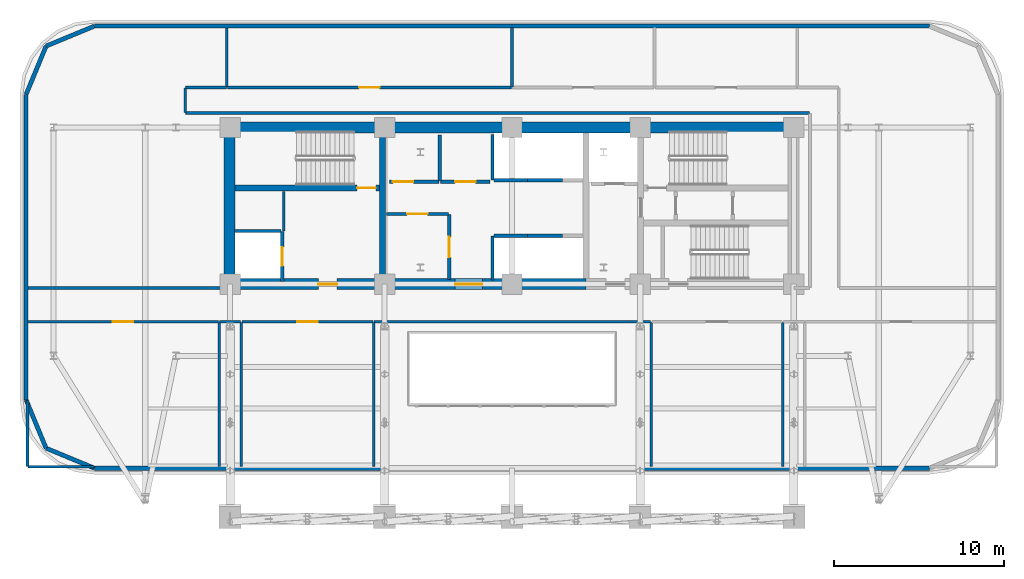
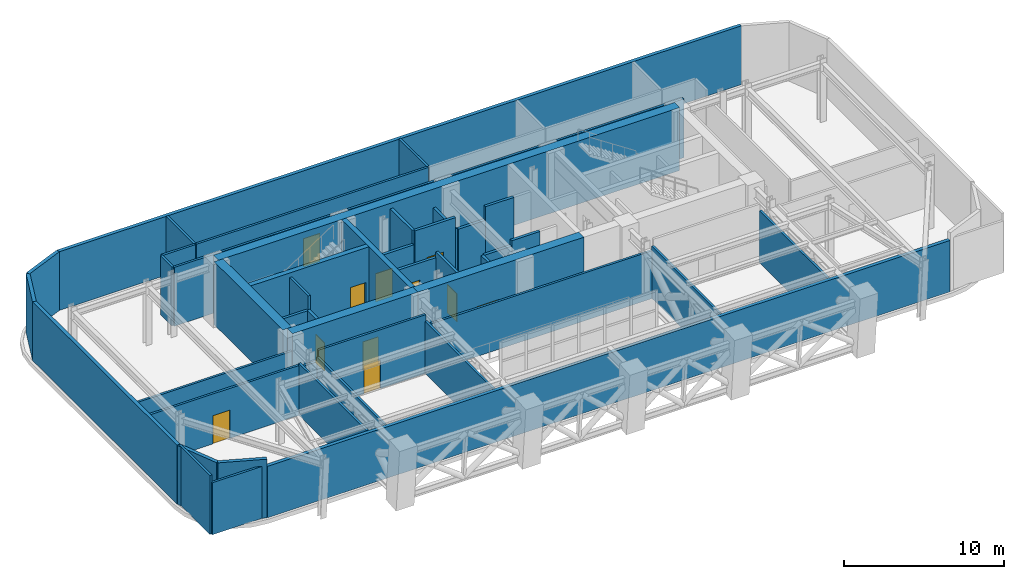
# One storey, part 8 of 13: 45 walls, 11 doors, 11 openings.
"""IFC4 building model written with IfcOpenShell, lengths in metres."""

from ifc_helpers import new_model, si_unit, direction, frame, frame_2d, origin, place, context, subcontext, project, spatial, rectangle, extrude, material, layer, layer_set, type_object, element, fill, save


model = new_model("IFC4")

# Units and contexts
model_context = context("Model", 3, precision=1e-05, world=origin(), true_north=direction((0.0, 1.0)))
body_context = subcontext(model_context, "Body", "Model", "MODEL_VIEW")
ifc_project = project(units=[si_unit("LENGTHUNIT", "METRE"), si_unit("AREAUNIT", "SQUARE_METRE"), si_unit("VOLUMEUNIT", "CUBIC_METRE"), si_unit("PLANEANGLEUNIT", "RADIAN"), si_unit("MASSUNIT", "GRAM", prefix="KILO")], contexts=[model_context])

# Site, building, storey
site_placement = place(None, origin())
site = spatial("IfcSite", under=ifc_project, at=site_placement, CompositionType="ELEMENT")
building_placement = place(site_placement, origin())
building = spatial("IfcBuilding", under=site, at=building_placement, Name="Zarnavel Station Tower", CompositionType="ELEMENT")
storey_placement = place(building_placement, frame((0.0, 0.0, 132.89990234375)))
storey = spatial("IfcBuildingStorey", under=building, at=storey_placement, Name="L36", CompositionType="ELEMENT", Elevation=132.89990234375)

# Wall
ifc_material_1 = material(Name="Concrete C50/60", Category="concrete")
ifc_layer_1 = layer(ifc_material_1, 0.35009765625)
ifc_layer_set_1 = layer_set([ifc_layer_1], Name="CW_350")
wall_type_1 = type_object("IfcWallType", Name="CW_350", PredefinedType="SHEAR", material=ifc_layer_set_1)
wall_1_placement = place(storey_placement, frame((21.179931640625, 28.14501953125, 0.0), z_axis=(0.0, 0.0, 1.0), x_axis=(0.0, 1.0, 0.0)))
element("IfcWall", 1, at=wall_1_placement, inside=storey, type_object=wall_type_1, Name="L36 Rear Core Shear Wall DIV-W", PredefinedType="SHEAR", context=body_context, shape_type="SweptSolid", body=[
    extrude(rectangle(XDim=8.580078125, YDim=0.35009765625, at=frame_2d((4.2900390625, 0.0))), origin(), (0.0, 0.0, 1.0), 4.800048828125),
])

# Wall, opening, door
wall_2_placement = place(storey_placement, frame((21.0048828125, 33.47998046875, 0.0), z_axis=(0.0, 0.0, 1.0), x_axis=(-1.0, 0.0, 0.0)))
wall_2 = element("IfcWall", 2, at=wall_2_placement, inside=storey, type_object=wall_type_1, Name="L36 Rear Core Shear Wall DIV-H1", PredefinedType="SHEAR", context=body_context, shape_type="SweptSolid", body=[
    extrude(rectangle(XDim=8.52978515625, YDim=0.35009765625, at=frame_2d((4.264892578125, 0.0))), origin(), (0.0, 0.0, 1.0), 4.800048828125),
])
opening_1_placement = place(wall_2_placement, frame((0.219970703125, 0.0, 0.0)))
opening_1 = element("IfcOpeningElement", 3, at=opening_1_placement, cuts=wall_2, Name="Opening FD01", PredefinedType="OPENING", context=body_context, shape_type="SweptSolid", body=[
    extrude(rectangle(XDim=1.10009765625, YDim=2.14990234375, at=frame_2d((0.550048828125, 1.074951171875))), frame((0.0, 0.18505859375, 0.0), z_axis=(0.0, -1.0, 0.0), x_axis=(1.0, 0.0, 0.0)), (0.0, 0.0, 1.0), 0.3701171875),
])
ifc_material_2 = material(Name="Painted Galvanised Steel and Hardwood Leaf", Category="steel")
door_type_1 = type_object("IfcDoorType", Name="ID_STAIR_1100", OperationType="NOTDEFINED", PredefinedType="DOOR", material=ifc_material_2)
door_1_placement = place(opening_1_placement, origin())
door_1 = element("IfcDoor", 4, at=door_1_placement, inside=storey, type_object=door_type_1, Name="L36 Stair ST1 Lobby Fire Door", OperationType="SINGLE_SWING_LEFT", OverallHeight=2.14990234375, OverallWidth=1.10009765625, PredefinedType="DOOR", context=body_context, shape_type="SweptSolid", body=[
    extrude(rectangle(XDim=1.10009765625, YDim=2.14990234375, at=frame_2d((0.550048828125, 1.074951171875))), frame((0.0, 0.02490234375, 0.0), z_axis=(0.0, -1.0, 0.0), x_axis=(1.0, 0.0, 0.0)), (0.0, 0.0, 1.0), 0.050048828125),
])
fill(opening_1, door_1)

# Wall
ifc_material_3 = material(Name="Concrete C60/75", Category="concrete")
ifc_layer_2 = layer(ifc_material_3, 0.64990234375)
ifc_layer_set_2 = layer_set([ifc_layer_2], Name="CW_650")
wall_type_2 = type_object("IfcWallType", Name="CW_650", PredefinedType="SHEAR", material=ifc_layer_set_2)
wall_3_placement = place(storey_placement, frame((12.14990234375, 37.050048828125, 0.0), z_axis=(0.0, 0.0, 1.0), x_axis=(1.0, 0.0, 0.0)))
element("IfcWall", 5, at=wall_3_placement, inside=storey, type_object=wall_type_2, Name="L36 Rear Core Shear Wall N", PredefinedType="SHEAR", context=body_context, shape_type="SweptSolid", body=[
    extrude(rectangle(XDim=33.22998046875, YDim=0.64990234375, at=frame_2d((16.614990234375, 0.0))), origin(), (0.0, 0.0, 1.0), 4.800048828125),
])

# Wall, opening, door
wall_4_placement = place(storey_placement, frame((21.179931640625, 27.820068359375, 0.0), z_axis=(0.0, 0.0, 1.0), x_axis=(-1.0, 0.0, 0.0)))
wall_4 = element("IfcWall", 6, at=wall_4_placement, inside=storey, type_object=wall_type_2, Name="L36 Rear Core Shear Wall S-W", PredefinedType="SHEAR", context=body_context, shape_type="SweptSolid", body=[
    extrude(rectangle(XDim=9.030029296875, YDim=0.64990234375, at=frame_2d((4.51513671875, 0.0))), origin(), (0.0, 0.0, 1.0), 4.800048828125),
])
opening_2_placement = place(wall_4_placement, frame((2.679931640625, 0.0, 0.0)))
opening_2 = element("IfcOpeningElement", 7, at=opening_2_placement, cuts=wall_4, Name="Opening FD01", PredefinedType="OPENING", context=body_context, shape_type="SweptSolid", body=[
    extrude(rectangle(XDim=1.10009765625, YDim=2.14990234375, at=frame_2d((0.550048828125, 1.074951171875))), frame((0.0, 0.3349609375, 0.0), z_axis=(0.0, -1.0, 0.0), x_axis=(1.0, 0.0, 0.0)), (0.0, 0.0, 1.0), 0.669921875),
])
door_2_placement = place(opening_2_placement, origin())
door_2 = element("IfcDoor", 8, at=door_2_placement, inside=storey, type_object=door_type_1, Name="L36 West Firefighting Lobby Door", OperationType="SINGLE_SWING_RIGHT", OverallHeight=2.14990234375, OverallWidth=1.10009765625, PredefinedType="DOOR", context=body_context, shape_type="SweptSolid", body=[
    extrude(rectangle(XDim=1.10009765625, YDim=2.14990234375, at=frame_2d((0.550048828125, 1.074951171875))), frame((0.0, 0.02490234375, 0.0), z_axis=(0.0, -1.0, 0.0), x_axis=(1.0, 0.0, 0.0)), (0.0, 0.0, 1.0), 0.050048828125),
])
fill(opening_2, door_2)

wall_5_placement = place(storey_placement, frame((33.14990234375, 27.820068359375, 0.0), z_axis=(0.0, 0.0, 1.0), x_axis=(-1.0, 0.0, 0.0)))
wall_5 = element("IfcWall", 9, at=wall_5_placement, inside=storey, type_object=wall_type_2, Name="L36 Rear Core Shear Wall S-M", PredefinedType="SHEAR", context=body_context, shape_type="SweptSolid", body=[
    extrude(rectangle(XDim=11.969970703125, YDim=0.64990234375, at=frame_2d((5.98486328125, 0.0))), origin(), (0.0, 0.0, 1.0), 4.800048828125),
])
opening_3_placement = place(wall_5_placement, frame((6.10009765625, 0.0, 0.0)))
opening_3 = element("IfcOpeningElement", 10, at=opening_3_placement, cuts=wall_5, Name="Opening ID03", PredefinedType="OPENING", context=body_context, shape_type="SweptSolid", body=[
    extrude(rectangle(XDim=1.60009765625, YDim=2.199951171875, at=frame_2d((0.800048828125, 1.10009765625))), frame((0.0, 0.3349609375, 0.0), z_axis=(0.0, -1.0, 0.0), x_axis=(1.0, 0.0, 0.0)), (0.0, 0.0, 1.0), 0.669921875),
])
ifc_material_4 = material(Name="Painted Galvanised Steel and Hardwood Leaf", Category="steel")
door_type_2 = type_object("IfcDoorType", Name="ID_PUBLIC_1600", OperationType="DOUBLE_DOOR_SINGLE_SWING", PredefinedType="DOOR", material=ifc_material_4)
door_3_placement = place(opening_3_placement, origin())
door_3 = element("IfcDoor", 11, at=door_3_placement, inside=storey, type_object=door_type_2, Name="L36 Passenger Lift Lobby Double Door", OperationType="SINGLE_SWING_LEFT", OverallHeight=2.199951171875, OverallWidth=1.60009765625, PredefinedType="DOOR", context=body_context, shape_type="SweptSolid", body=[
    extrude(rectangle(XDim=1.60009765625, YDim=2.199951171875, at=frame_2d((0.800048828125, 1.10009765625))), frame((0.0, 0.02490234375, 0.0), z_axis=(0.0, -1.0, 0.0), x_axis=(1.0, 0.0, 0.0)), (0.0, 0.0, 1.0), 0.050048828125),
])
fill(opening_3, door_3)

# Walls
wall_6_placement = place(storey_placement, frame((12.14990234375, 28.14501953125, 0.0), z_axis=(0.0, 0.0, 1.0), x_axis=(0.0, 1.0, 0.0)))
element("IfcWall", 12, at=wall_6_placement, inside=storey, type_object=wall_type_2, Name="L36 Rear Core Shear Wall W", PredefinedType="SHEAR", context=body_context, shape_type="SweptSolid", body=[
    extrude(rectangle(XDim=8.580078125, YDim=0.64990234375, at=frame_2d((4.2900390625, 0.0))), origin(), (0.0, 0.0, 1.0), 4.800048828125),
])
ifc_material_5 = material(Name="Precast concrete C45/55 (Basalt Spandrel)", Category="masonry")
ifc_layer_3 = layer(ifc_material_5, 0.25)
ifc_layer_set_3 = layer_set([ifc_layer_3], Name="EW_SPANDREL_250")
wall_type_3 = type_object("IfcWallType", Name="EW_SPANDREL_250", PredefinedType="SOLIDWALL", material=ifc_layer_set_3)
wall_7_placement = place(storey_placement, frame((4.199951171875, 43.02001953125, 0.0), z_axis=(0.0, 0.0, 1.0), x_axis=(1.0, 0.0, 0.0)))
element("IfcWall", 13, at=wall_7_placement, inside=storey, type_object=wall_type_3, Name="L36 Exterior Basalt Masonry Frame Wall 06", PredefinedType="SOLIDWALL", context=body_context, shape_type="SweptSolid", body=[
    extrude(rectangle(XDim=49.199951171875, YDim=0.25, at=frame_2d((24.60009765625, 0.0))), origin(), (0.0, 0.0, 1.0), 4.47998046875),
])
for number, where, z_axis, x_axis, name in (
    (14, (1.357421875, 41.842529296875, 0.0), (0.0, 0.0, 1.0), (0.923870793506, 0.382704529509, 0.0), "L36 Exterior Basalt Masonry Frame Wall 07"),
    (15, (0.179931640625, 39.0, 0.0), (0.0, 0.0, 1.0), (0.382704529509, 0.923870793506, 0.0), "L36 Exterior Basalt Masonry Frame Wall 08"),
):
    element("IfcWall", number, at=place(storey_placement, frame(where, z_axis=z_axis, x_axis=x_axis)), inside=storey, type_object=wall_type_3, Name=name, PredefinedType="SOLIDWALL", context=body_context, shape_type="SweptSolid", body=[
        extrude(rectangle(XDim=3.07666015625, YDim=0.25, at=frame_2d((1.538330078125, 0.0))), origin(), (0.0, 0.0, 1.0), 4.47998046875),
    ])
wall_8_placement = place(storey_placement, frame((0.179931640625, 21.0, 0.0), z_axis=(0.0, 0.0, 1.0), x_axis=(0.0, 1.0, 0.0)))
element("IfcWall", 16, at=wall_8_placement, inside=storey, type_object=wall_type_3, Name="L36 Exterior Basalt Masonry Frame Wall 09", PredefinedType="SOLIDWALL", context=body_context, shape_type="SweptSolid", body=[
    extrude(rectangle(XDim=18.0, YDim=0.25, at=frame_2d((9.0, 0.0))), origin(), (0.0, 0.0, 1.0), 4.47998046875),
])
for number, where, z_axis, x_axis, name in (
    (17, (1.357421875, 18.157470703125, 0.0), (0.0, 0.0, 1.0), (-0.382704529509, 0.923870793506, 0.0), "L36 Exterior Basalt Masonry Frame Wall 10"),
    (18, (4.199951171875, 16.97998046875, 0.0), (0.0, 0.0, 1.0), (-0.923870793506, 0.382704529509, 0.0), "L36 Exterior Basalt Masonry Frame Wall 11"),
):
    element("IfcWall", number, at=place(storey_placement, frame(where, z_axis=z_axis, x_axis=x_axis)), inside=storey, type_object=wall_type_3, Name=name, PredefinedType="SOLIDWALL", context=body_context, shape_type="SweptSolid", body=[
        extrude(rectangle(XDim=3.07666015625, YDim=0.25, at=frame_2d((1.538330078125, 0.0))), origin(), (0.0, 0.0, 1.0), 4.47998046875),
    ])
wall_9_placement = place(storey_placement, frame((53.39990234375, 16.97998046875, 0.0), z_axis=(0.0, 0.0, 1.0), x_axis=(-1.0, 0.0, 0.0)))
element("IfcWall", 19, at=wall_9_placement, inside=storey, type_object=wall_type_3, Name="L36 Exterior Basalt Masonry Frame Wall 12", PredefinedType="SOLIDWALL", context=body_context, shape_type="SweptSolid", body=[
    extrude(rectangle(XDim=49.199951171875, YDim=0.25, at=frame_2d((24.60009765625, 0.0))), origin(), (0.0, 0.0, 1.0), 3.920166015625),
])

# Wall, opening, door
ifc_material_6 = material(Name="Gypsum Twin-Stud Acoustic Fire Partition", Category="concrete")
ifc_layer_4 = layer(ifc_material_6, 0.159912109375)
ifc_layer_set_4 = layer_set([ifc_layer_4], Name="PT_DEMISE_160")
wall_type_4 = type_object("IfcWallType", Name="PT_DEMISE_160", PredefinedType="PARTITIONING", material=ifc_layer_set_4)
wall_10_placement = place(storey_placement, frame((0.260009765625, 25.60009765625, 0.0), z_axis=(0.0, 0.0, 1.0), x_axis=(1.0, 0.0, 0.0)))
wall_10 = element("IfcWall", 20, at=wall_10_placement, inside=storey, type_object=wall_type_4, Name="L36 Partition PCOR-REFG", PredefinedType="PARTITIONING", context=body_context, shape_type="SweptSolid", body=[
    extrude(rectangle(XDim=11.25, YDim=0.159912109375, at=frame_2d((5.625, 0.0))), origin(), (0.0, 0.0, 1.0), 3.81005859375),
])
opening_4_placement = place(wall_10_placement, frame((5.02490234375, 0.0, 0.0)))
opening_4 = element("IfcOpeningElement", 21, at=opening_4_placement, cuts=wall_10, Name="Opening FD03", PredefinedType="OPENING", context=body_context, shape_type="SweptSolid", body=[
    extrude(rectangle(XDim=1.199951171875, YDim=2.14990234375, at=frame_2d((0.60009765625, 1.074951171875))), frame((0.0, 0.08984375, 0.0), z_axis=(0.0, -1.0, 0.0), x_axis=(1.0, 0.0, 0.0)), (0.0, 0.0, 1.0), 0.179931640625),
])
ifc_material_7 = material(Name="Painted Galvanised Steel and Hardwood Leaf", Category="steel")
door_type_3 = type_object("IfcDoorType", Name="ID_PLANT_1200", OperationType="NOTDEFINED", PredefinedType="DOOR", material=ifc_material_7)
door_4_placement = place(opening_4_placement, origin())
door_4 = element("IfcDoor", 22, at=door_4_placement, inside=storey, type_object=door_type_3, Name="L36 Door PCOR-REFG", OperationType="SINGLE_SWING_LEFT", OverallHeight=2.14990234375, OverallWidth=1.199951171875, PredefinedType="DOOR", context=body_context, shape_type="SweptSolid", body=[
    extrude(rectangle(XDim=1.199951171875, YDim=2.14990234375, at=frame_2d((0.60009765625, 1.074951171875))), frame((0.0, 0.02490234375, 0.0), z_axis=(0.0, -1.0, 0.0), x_axis=(1.0, 0.0, 0.0)), (0.0, 0.0, 1.0), 0.050048828125),
])
fill(opening_4, door_4)

wall_11_placement = place(storey_placement, frame((12.889892578125, 25.60009765625, 0.0), z_axis=(0.0, 0.0, 1.0), x_axis=(1.0, 0.0, 0.0)))
wall_11 = element("IfcWall", 23, at=wall_11_placement, inside=storey, type_object=wall_type_4, Name="L36 Partition PCOR-AHU1", PredefinedType="PARTITIONING", context=body_context, shape_type="SweptSolid", body=[
    extrude(rectangle(XDim=7.72021484375, YDim=0.159912109375, at=frame_2d((3.860107421875, 0.0))), origin(), (0.0, 0.0, 1.0), 4.47998046875),
])
opening_5_placement = place(wall_11_placement, frame((3.260009765625, 0.0, 0.0)))
opening_5 = element("IfcOpeningElement", 24, at=opening_5_placement, cuts=wall_11, Name="Opening FD03", PredefinedType="OPENING", context=body_context, shape_type="SweptSolid", body=[
    extrude(rectangle(XDim=1.199951171875, YDim=2.14990234375, at=frame_2d((0.60009765625, 1.074951171875))), frame((0.0, 0.08984375, 0.0), z_axis=(0.0, -1.0, 0.0), x_axis=(1.0, 0.0, 0.0)), (0.0, 0.0, 1.0), 0.179931640625),
])
door_5_placement = place(opening_5_placement, origin())
door_5 = element("IfcDoor", 25, at=door_5_placement, inside=storey, type_object=door_type_3, Name="L36 Door PCOR-AHU1", OperationType="SINGLE_SWING_RIGHT", OverallHeight=2.14990234375, OverallWidth=1.199951171875, PredefinedType="DOOR", context=body_context, shape_type="SweptSolid", body=[
    extrude(rectangle(XDim=1.199951171875, YDim=2.14990234375, at=frame_2d((0.60009765625, 1.074951171875))), frame((0.0, 0.02490234375, 0.0), z_axis=(0.0, -1.0, 0.0), x_axis=(1.0, 0.0, 0.0)), (0.0, 0.0, 1.0), 0.050048828125),
])
fill(opening_5, door_5)

wall_12_placement = place(storey_placement, frame((12.0400390625, 39.39990234375, 0.0), z_axis=(0.0, 0.0, 1.0), x_axis=(1.0, 0.0, 0.0)))
wall_12 = element("IfcWall", 26, at=wall_12_placement, inside=storey, type_object=wall_type_4, Name="L36 Partition PCOR-N-REFG2", PredefinedType="PARTITIONING", context=body_context, shape_type="SweptSolid", body=[
    extrude(rectangle(XDim=16.719970703125, YDim=0.159912109375, at=frame_2d((8.35986328125, 0.0))), origin(), (0.0, 0.0, 1.0), 4.47998046875),
])
opening_6_placement = place(wall_12_placement, frame((7.760009765625, 0.0, 0.0)))
opening_6 = element("IfcOpeningElement", 27, at=opening_6_placement, cuts=wall_12, Name="Opening FD03", PredefinedType="OPENING", context=body_context, shape_type="SweptSolid", body=[
    extrude(rectangle(XDim=1.199951171875, YDim=2.14990234375, at=frame_2d((0.60009765625, 1.074951171875))), frame((0.0, 0.08984375, 0.0), z_axis=(0.0, -1.0, 0.0), x_axis=(1.0, 0.0, 0.0)), (0.0, 0.0, 1.0), 0.179931640625),
])
door_6_placement = place(opening_6_placement, origin())
door_6 = element("IfcDoor", 28, at=door_6_placement, inside=storey, type_object=door_type_3, Name="L36 Door PCOR-N-REFG2", OperationType="SINGLE_SWING_LEFT", OverallHeight=2.14990234375, OverallWidth=1.199951171875, PredefinedType="DOOR", context=body_context, shape_type="SweptSolid", body=[
    extrude(rectangle(XDim=1.199951171875, YDim=2.14990234375, at=frame_2d((0.60009765625, 1.074951171875))), frame((0.0, 0.02490234375, 0.0), z_axis=(0.0, -1.0, 0.0), x_axis=(1.0, 0.0, 0.0)), (0.0, 0.0, 1.0), 0.050048828125),
])
fill(opening_6, door_6)

# Walls
wall_13_placement = place(storey_placement, frame((28.800048828125, 39.43994140625, 0.0), z_axis=(0.0, 0.0, 1.0), x_axis=(0.0, 1.0, 0.0)))
element("IfcWall", 29, at=wall_13_placement, inside=storey, type_object=wall_type_4, Name="L36 Partition REFG2-SUB1", PredefinedType="PARTITIONING", context=body_context, shape_type="SweptSolid", body=[
    extrude(rectangle(XDim=3.5, YDim=0.159912109375, at=frame_2d((1.75, 0.0))), origin(), (0.0, 0.0, 1.0), 4.47998046875),
])
wall_14_placement = place(storey_placement, frame((15.35009765625, 30.9599609375, 0.0), z_axis=(0.0, 0.0, 1.0), x_axis=(0.0, 1.0, 0.0)))
element("IfcWall", 30, at=wall_14_placement, inside=storey, type_object=wall_type_4, Name="L36 Enclosure Wall FFL1", PredefinedType="PARTITIONING", context=body_context, shape_type="SweptSolid", body=[
    extrude(rectangle(XDim=2.31005859375, YDim=0.159912109375, at=frame_2d((1.155029296875, 0.0))), origin(), (0.0, 0.0, 1.0), 4.47998046875),
])
wall_15_placement = place(storey_placement, frame((11.580078125, 25.60009765625, 0.0), z_axis=(0.0, 0.0, 1.0), x_axis=(1.0, 0.0, 0.0)))
element("IfcWall", 31, at=wall_15_placement, inside=storey, type_object=wall_type_4, Name="L36 Enclosure Wall PCOR", PredefinedType="PARTITIONING", context=body_context, shape_type="SweptSolid", body=[
    extrude(rectangle(XDim=1.239990234375, YDim=0.159912109375, at=frame_2d((0.6201171875, 0.0))), origin(), (0.0, 0.0, 1.0), 3.64599609375),
])
wall_16_placement = place(storey_placement, frame((20.679931640625, 25.60009765625, 0.0), z_axis=(0.0, 0.0, 1.0), x_axis=(1.0, 0.0, 0.0)))
element("IfcWall", 32, at=wall_16_placement, inside=storey, type_object=wall_type_4, Name="L36 Enclosure Wall PCOR", PredefinedType="PARTITIONING", context=body_context, shape_type="SweptSolid", body=[
    extrude(rectangle(XDim=16.2900390625, YDim=0.159912109375, at=frame_2d((8.14501953125, 0.0))), origin(), (0.0, 0.0, 1.0), 3.64599609375),
])
wall_17_placement = place(storey_placement, frame((0.2900390625, 27.60009765625, 0.0), z_axis=(0.0, 0.0, 1.0), x_axis=(1.0, 0.0, 0.0)))
element("IfcWall", 33, at=wall_17_placement, inside=storey, type_object=wall_type_4, Name="L36 Enclosure Wall PCOR", PredefinedType="PARTITIONING", context=body_context, shape_type="SweptSolid", body=[
    extrude(rectangle(XDim=11.830078125, YDim=0.159912109375, at=frame_2d((5.9150390625, 0.0))), origin(), (0.0, 0.0, 1.0), 3.4521484375),
])
wall_18_placement = place(storey_placement, frame((9.580078125, 37.89990234375, 0.0), z_axis=(0.0, 0.0, 1.0), x_axis=(1.0, 0.0, 0.0)))
element("IfcWall", 34, at=wall_18_placement, inside=storey, type_object=wall_type_4, Name="L36 Enclosure Wall PCOR-N", PredefinedType="PARTITIONING", context=body_context, shape_type="SweptSolid", body=[
    extrude(rectangle(XDim=36.739990234375, YDim=0.159912109375, at=frame_2d((18.3701171875, 0.0))), origin(), (0.0, 0.0, 1.0), 4.47998046875),
])
wall_19_placement = place(storey_placement, frame((9.580078125, 39.39990234375, 0.0), z_axis=(0.0, 0.0, 1.0), x_axis=(1.0, 0.0, 0.0)))
element("IfcWall", 35, at=wall_19_placement, inside=storey, type_object=wall_type_4, Name="L36 Enclosure Wall PCOR-N", PredefinedType="PARTITIONING", context=body_context, shape_type="SweptSolid", body=[
    extrude(rectangle(XDim=2.389892578125, YDim=0.159912109375, at=frame_2d((1.19482421875, 0.0))), origin(), (0.0, 0.0, 1.0), 4.47998046875),
])
wall_20_placement = place(storey_placement, frame((9.550048828125, 37.929931640625, 0.0), z_axis=(0.0, 0.0, 1.0), x_axis=(0.0, 1.0, 0.0)))
element("IfcWall", 36, at=wall_20_placement, inside=storey, type_object=wall_type_4, Name="L36 Enclosure Wall PCOR-N", PredefinedType="PARTITIONING", context=body_context, shape_type="SweptSolid", body=[
    extrude(rectangle(XDim=1.440185546875, YDim=0.159912109375, at=frame_2d((0.72021484375, 0.0))), origin(), (0.0, 0.0, 1.0), 4.47998046875),
])
wall_21_placement = place(storey_placement, frame((0.2900390625, 17.06005859375, 0.0), z_axis=(0.0, 0.0, 1.0), x_axis=(1.0, 0.0, 0.0)))
element("IfcWall", 37, at=wall_21_placement, inside=storey, type_object=wall_type_4, Name="L36 Enclosure Wall REFG", PredefinedType="PARTITIONING", context=body_context, shape_type="SweptSolid", body=[
    extrude(rectangle(XDim=3.8798828125, YDim=0.159912109375, at=frame_2d((1.93994140625, 0.0))), origin(), (0.0, 0.0, 1.0), 3.960205078125),
])
wall_22_placement = place(storey_placement, frame((0.260009765625, 17.090087890625, 0.0), z_axis=(0.0, 0.0, 1.0), x_axis=(0.0, 1.0, 0.0)))
element("IfcWall", 38, at=wall_22_placement, inside=storey, type_object=wall_type_4, Name="L36 Enclosure Wall REFG", PredefinedType="PARTITIONING", context=body_context, shape_type="SweptSolid", body=[
    extrude(rectangle(XDim=3.8798828125, YDim=0.159912109375, at=frame_2d((1.93994140625, 0.0))), origin(), (0.0, 0.0, 1.0), 4.47998046875),
])
wall_23_placement = place(storey_placement, frame((11.550048828125, 17.090087890625, 0.0), z_axis=(0.0, 0.0, 1.0), x_axis=(0.0, 1.0, 0.0)))
element("IfcWall", 39, at=wall_23_placement, inside=storey, type_object=wall_type_4, Name="L36 Enclosure Wall REFG", PredefinedType="PARTITIONING", context=body_context, shape_type="SweptSolid", body=[
    extrude(rectangle(XDim=8.47998046875, YDim=0.159912109375, at=frame_2d((4.239990234375, 0.0))), origin(), (0.0, 0.0, 1.0), 3.960205078125),
])
for number, where, z_axis, x_axis, name in (
    (40, (12.85009765625, 17.090087890625, 0.0), (0.0, 0.0, 1.0), (0.0, 1.0, 0.0), "L36 Enclosure Wall AHU1"),
    (41, (20.64990234375, 17.090087890625, 0.0), (0.0, 0.0, 1.0), (0.0, 1.0, 0.0), "L36 Enclosure Wall AHU1"),
    (42, (37.0, 17.090087890625, 0.0), (0.0, 0.0, 1.0), (0.0, 1.0, 0.0), "L36 Enclosure Wall AHU2"),
    (43, (44.75, 17.090087890625, 0.0), (0.0, 0.0, 1.0), (0.0, 1.0, 0.0), "L36 Enclosure Wall AHU2"),
):
    element("IfcWall", number, at=place(storey_placement, frame(where, z_axis=z_axis, x_axis=x_axis)), inside=storey, type_object=wall_type_4, Name=name, PredefinedType="PARTITIONING", context=body_context, shape_type="SweptSolid", body=[
        extrude(rectangle(XDim=8.47998046875, YDim=0.159912109375, at=frame_2d((4.239990234375, 0.0))), origin(), (0.0, 0.0, 1.0), 3.97021484375),
    ])
wall_24_placement = place(storey_placement, frame((12.0, 39.429931640625, 0.0), z_axis=(0.0, 0.0, 1.0), x_axis=(0.0, 1.0, 0.0)))
element("IfcWall", 44, at=wall_24_placement, inside=storey, type_object=wall_type_4, Name="L36 Enclosure Wall REFG2", PredefinedType="PARTITIONING", context=body_context, shape_type="SweptSolid", body=[
    extrude(rectangle(XDim=3.47998046875, YDim=0.159912109375, at=frame_2d((1.739990234375, 0.0))), origin(), (0.0, 0.0, 1.0), 4.47998046875),
])

# Wall, opening, door
ifc_material_8 = material(Name="Precast concrete C45/55 (Fire Shaft Blockwork)", Category="masonry")
ifc_layer_5 = layer(ifc_material_8, 0.199951171875)
ifc_layer_set_5 = layer_set([ifc_layer_5], Name="PT_SHAFT_200")
wall_type_5 = type_object("IfcWallType", Name="PT_SHAFT_200", PredefinedType="PARTITIONING", material=ifc_layer_set_5)
wall_25_placement = place(storey_placement, frame((15.27001953125, 27.969970703125, 0.0), z_axis=(0.0, 0.0, 1.0), x_axis=(0.0, 1.0, 0.0)))
wall_25 = element("IfcWall", 45, at=wall_25_placement, inside=storey, type_object=wall_type_5, Name="L36 Lift FFL-01 Shaft Front Wall", PredefinedType="PARTITIONING", context=body_context, shape_type="SweptSolid", body=[
    extrude(rectangle(XDim=2.9599609375, YDim=0.199951171875, at=frame_2d((1.47998046875, 0.0))), origin(), (0.0, 0.0, 1.0), 3.4521484375),
])
opening_7_placement = place(wall_25_placement, frame((0.929931640625, 0.0, 0.0)))
opening_7 = element("IfcOpeningElement", 46, at=opening_7_placement, cuts=wall_25, Name="Opening LD01", PredefinedType="OPENING", context=body_context, shape_type="SweptSolid", body=[
    extrude(rectangle(XDim=1.10009765625, YDim=2.14990234375, at=frame_2d((0.550048828125, 1.074951171875))), frame((0.0, 0.10986328125, 0.0), z_axis=(0.0, -1.0, 0.0), x_axis=(1.0, 0.0, 0.0)), (0.0, 0.0, 1.0), 0.219970703125),
])
ifc_material_9 = material(Name="Painted Galvanised Steel and Hardwood Leaf", Category="steel")
door_type_4 = type_object("IfcDoorType", Name="LD_FF_1100", OperationType="DOUBLE_DOOR_SLIDING", PredefinedType="DOOR", material=ifc_material_9)
door_7_placement = place(opening_7_placement, origin())
door_7 = element("IfcDoor", 47, at=door_7_placement, inside=storey, type_object=door_type_4, Name="L36 Lift FFL-01 Sliding Landing Door", OperationType="DOUBLE_DOOR_SLIDING", OverallHeight=2.14990234375, OverallWidth=1.10009765625, PredefinedType="DOOR", context=body_context, shape_type="SweptSolid", body=[
    extrude(rectangle(XDim=1.10009765625, YDim=2.14990234375, at=frame_2d((0.550048828125, 1.074951171875))), frame((0.0, 0.02490234375, 0.0), z_axis=(0.0, -1.0, 0.0), x_axis=(1.0, 0.0, 0.0)), (0.0, 0.0, 1.0), 0.050048828125),
])
fill(opening_7, door_7)

# Walls
wall_26_placement = place(storey_placement, frame((12.449951171875, 30.949951171875, 0.0), z_axis=(0.0, 0.0, 1.0), x_axis=(1.0, 0.0, 0.0)))
element("IfcWall", 48, at=wall_26_placement, inside=storey, type_object=wall_type_5, Name="L36 Lift FFL-01 North Shaft Wall", PredefinedType="PARTITIONING", context=body_context, shape_type="SweptSolid", body=[
    extrude(rectangle(XDim=2.75, YDim=0.199951171875, at=frame_2d((1.375, 0.0))), origin(), (0.0, 0.0, 1.0), 3.4521484375),
])
wall_27_placement = place(storey_placement, frame((27.75, 30.669921875, 0.0), z_axis=(0.0, 0.0, 1.0), x_axis=(1.0, 0.0, 0.0)))
element("IfcWall", 49, at=wall_27_placement, inside=storey, type_object=wall_type_5, Name="L36 Lift PL-H1 Shaft Front Wall", PredefinedType="PARTITIONING", context=body_context, shape_type="SweptSolid", body=[
    extrude(rectangle(XDim=1.97509765625, YDim=0.199951171875, at=frame_2d((0.987548828125, 0.0))), origin(), (0.0, 0.0, 1.0), 3.4521484375),
])
wall_28_placement = place(storey_placement, frame((27.64990234375, 28.070068359375, 0.0), z_axis=(0.0, 0.0, 1.0), x_axis=(0.0, 1.0, 0.0)))
element("IfcWall", 50, at=wall_28_placement, inside=storey, type_object=wall_type_5, Name="L36 High-Rise Lift Bank West Shaft Wall", PredefinedType="PARTITIONING", context=body_context, shape_type="SweptSolid", body=[
    extrude(rectangle(XDim=2.579833984375, YDim=0.199951171875, at=frame_2d((1.2900390625, 0.0))), origin(), (0.0, 0.0, 1.0), 3.4521484375),
])
wall_29_placement = place(storey_placement, frame((29.72509765625, 30.669921875, 0.0), z_axis=(0.0, 0.0, 1.0), x_axis=(1.0, 0.0, 0.0)))
element("IfcWall", 51, at=wall_29_placement, inside=storey, type_object=wall_type_5, Name="L36 Lift PL-H2 Shaft Front Wall", PredefinedType="PARTITIONING", context=body_context, shape_type="SweptSolid", body=[
    extrude(rectangle(XDim=2.0498046875, YDim=0.199951171875, at=frame_2d((1.02490234375, 0.0))), origin(), (0.0, 0.0, 1.0), 3.860107421875),
])
wall_30_placement = place(storey_placement, frame((27.75, 33.929931640625, 0.0), z_axis=(0.0, 0.0, 1.0), x_axis=(1.0, 0.0, 0.0)))
element("IfcWall", 52, at=wall_30_placement, inside=storey, type_object=wall_type_5, Name="L36 Lift PL-M1 Shaft Front Wall", PredefinedType="PARTITIONING", context=body_context, shape_type="SweptSolid", body=[
    extrude(rectangle(XDim=1.97509765625, YDim=0.199951171875, at=frame_2d((0.987548828125, 0.0))), origin(), (0.0, 0.0, 1.0), 3.4521484375),
])
wall_31_placement = place(storey_placement, frame((27.64990234375, 33.949951171875, 0.0), z_axis=(0.0, 0.0, 1.0), x_axis=(0.0, 1.0, 0.0)))
element("IfcWall", 53, at=wall_31_placement, inside=storey, type_object=wall_type_5, Name="L36 Mid-Rise Lift Bank West Shaft Wall", PredefinedType="PARTITIONING", context=body_context, shape_type="SweptSolid", body=[
    extrude(rectangle(XDim=2.679931640625, YDim=0.199951171875, at=frame_2d((1.33984375, 0.0))), origin(), (0.0, 0.0, 1.0), 3.4521484375),
])
wall_32_placement = place(storey_placement, frame((29.72509765625, 33.929931640625, 0.0), z_axis=(0.0, 0.0, 1.0), x_axis=(1.0, 0.0, 0.0)))
element("IfcWall", 54, at=wall_32_placement, inside=storey, type_object=wall_type_5, Name="L36 Lift PL-M2 Shaft Front Wall", PredefinedType="PARTITIONING", context=body_context, shape_type="SweptSolid", body=[
    extrude(rectangle(XDim=2.0498046875, YDim=0.199951171875, at=frame_2d((1.02490234375, 0.0))), origin(), (0.0, 0.0, 1.0), 4.47998046875),
])

# Wall, opening, door
wall_33_placement = place(storey_placement, frame((21.39990234375, 31.949951171875, 0.0), z_axis=(0.0, 0.0, 1.0), x_axis=(1.0, 0.0, 0.0)))
wall_33 = element("IfcWall", 55, at=wall_33_placement, inside=storey, type_object=wall_type_5, Name="L36 Partition LLOB-CS1", PredefinedType="PARTITIONING", context=body_context, shape_type="SweptSolid", body=[
    extrude(rectangle(XDim=3.66015625, YDim=0.199951171875, at=frame_2d((1.830078125, 0.0))), origin(), (0.0, 0.0, 1.0), 3.4521484375),
])
opening_8_placement = place(wall_33_placement, frame((1.22998046875, 0.0, 0.0)))
opening_8 = element("IfcOpeningElement", 56, at=opening_8_placement, cuts=wall_33, Name="Opening FD03", PredefinedType="OPENING", context=body_context, shape_type="SweptSolid", body=[
    extrude(rectangle(XDim=1.199951171875, YDim=2.14990234375, at=frame_2d((0.60009765625, 1.074951171875))), frame((0.0, 0.10986328125, 0.0), z_axis=(0.0, -1.0, 0.0), x_axis=(1.0, 0.0, 0.0)), (0.0, 0.0, 1.0), 0.219970703125),
])
door_8_placement = place(opening_8_placement, origin())
door_8 = element("IfcDoor", 57, at=door_8_placement, inside=storey, type_object=door_type_3, Name="L36 Door LLOB-CS1", OperationType="SINGLE_SWING_LEFT", OverallHeight=2.14990234375, OverallWidth=1.199951171875, PredefinedType="DOOR", context=body_context, shape_type="SweptSolid", body=[
    extrude(rectangle(XDim=1.199951171875, YDim=2.14990234375, at=frame_2d((0.60009765625, 1.074951171875))), frame((0.0, 0.02490234375, 0.0), z_axis=(0.0, -1.0, 0.0), x_axis=(1.0, 0.0, 0.0)), (0.0, 0.0, 1.0), 0.050048828125),
])
fill(opening_8, door_8)

wall_34_placement = place(storey_placement, frame((21.590087890625, 33.85009765625, 0.0), z_axis=(0.0, 0.0, 1.0), x_axis=(1.0, 0.0, 0.0)))
wall_34 = element("IfcWall", 58, at=wall_34_placement, inside=storey, type_object=wall_type_5, Name="L36 Partition LLOB-FB1A", PredefinedType="PARTITIONING", context=body_context, shape_type="SweptSolid", body=[
    extrude(rectangle(XDim=2.919921875, YDim=0.199951171875, at=frame_2d((1.4599609375, 0.0))), origin(), (0.0, 0.0, 1.0), 3.4521484375),
])
opening_9_placement = place(wall_34_placement, frame((0.199951171875, 0.0, 0.0)))
opening_9 = element("IfcOpeningElement", 59, at=opening_9_placement, cuts=wall_34, Name="Opening FD03", PredefinedType="OPENING", context=body_context, shape_type="SweptSolid", body=[
    extrude(rectangle(XDim=1.199951171875, YDim=2.14990234375, at=frame_2d((0.60009765625, 1.074951171875))), frame((0.0, 0.10986328125, 0.0), z_axis=(0.0, -1.0, 0.0), x_axis=(1.0, 0.0, 0.0)), (0.0, 0.0, 1.0), 0.219970703125),
])
door_9_placement = place(opening_9_placement, origin())
door_9 = element("IfcDoor", 60, at=door_9_placement, inside=storey, type_object=door_type_3, Name="L36 Door LLOB-FB1A", OperationType="SINGLE_SWING_LEFT", OverallHeight=2.14990234375, OverallWidth=1.199951171875, PredefinedType="DOOR", context=body_context, shape_type="SweptSolid", body=[
    extrude(rectangle(XDim=1.199951171875, YDim=2.14990234375, at=frame_2d((0.60009765625, 1.074951171875))), frame((0.0, 0.02490234375, 0.0), z_axis=(0.0, -1.0, 0.0), x_axis=(1.0, 0.0, 0.0)), (0.0, 0.0, 1.0), 0.050048828125),
])
fill(opening_9, door_9)

wall_35_placement = place(storey_placement, frame((24.590087890625, 33.85009765625, 0.0), z_axis=(0.0, 0.0, 1.0), x_axis=(1.0, 0.0, 0.0)))
wall_35 = element("IfcWall", 61, at=wall_35_placement, inside=storey, type_object=wall_type_5, Name="L36 Partition LLOB-FB1B", PredefinedType="PARTITIONING", context=body_context, shape_type="SweptSolid", body=[
    extrude(rectangle(XDim=2.919921875, YDim=0.199951171875, at=frame_2d((1.4599609375, 0.0))), origin(), (0.0, 0.0, 1.0), 4.47998046875),
])
opening_10_placement = place(wall_35_placement, frame((0.860107421875, 0.0, 0.0)))
opening_10 = element("IfcOpeningElement", 62, at=opening_10_placement, cuts=wall_35, Name="Opening FD03", PredefinedType="OPENING", context=body_context, shape_type="SweptSolid", body=[
    extrude(rectangle(XDim=1.199951171875, YDim=2.14990234375, at=frame_2d((0.60009765625, 1.074951171875))), frame((0.0, 0.10986328125, 0.0), z_axis=(0.0, -1.0, 0.0), x_axis=(1.0, 0.0, 0.0)), (0.0, 0.0, 1.0), 0.219970703125),
])
door_10_placement = place(opening_10_placement, origin())
door_10 = element("IfcDoor", 63, at=door_10_placement, inside=storey, type_object=door_type_3, Name="L36 Door LLOB-FB1B", OperationType="SINGLE_SWING_LEFT", OverallHeight=2.14990234375, OverallWidth=1.199951171875, PredefinedType="DOOR", context=body_context, shape_type="SweptSolid", body=[
    extrude(rectangle(XDim=1.199951171875, YDim=2.14990234375, at=frame_2d((0.60009765625, 1.074951171875))), frame((0.0, 0.02490234375, 0.0), z_axis=(0.0, -1.0, 0.0), x_axis=(1.0, 0.0, 0.0)), (0.0, 0.0, 1.0), 0.050048828125),
])
fill(opening_10, door_10)

wall_36_placement = place(storey_placement, frame((25.10009765625, 28.090087890625, 0.0), z_axis=(0.0, 0.0, 1.0), x_axis=(0.0, 1.0, 0.0)))
wall_36 = element("IfcWall", 64, at=wall_36_placement, inside=storey, type_object=wall_type_5, Name="L36 Partition LLOBS-CS1", PredefinedType="PARTITIONING", context=body_context, shape_type="SweptSolid", body=[
    extrude(rectangle(XDim=3.81982421875, YDim=0.199951171875, at=frame_2d((1.909912109375, 0.0))), origin(), (0.0, 0.0, 1.0), 3.860107421875),
])
opening_11_placement = place(wall_36_placement, frame((1.31005859375, 0.0, 0.0)))
opening_11 = element("IfcOpeningElement", 65, at=opening_11_placement, cuts=wall_36, Name="Opening FD03", PredefinedType="OPENING", context=body_context, shape_type="SweptSolid", body=[
    extrude(rectangle(XDim=1.199951171875, YDim=2.14990234375, at=frame_2d((0.60009765625, 1.074951171875))), frame((0.0, 0.10986328125, 0.0), z_axis=(0.0, -1.0, 0.0), x_axis=(1.0, 0.0, 0.0)), (0.0, 0.0, 1.0), 0.219970703125),
])
door_11_placement = place(opening_11_placement, origin())
door_11 = element("IfcDoor", 66, at=door_11_placement, inside=storey, type_object=door_type_3, Name="L36 Door LLOBS-CS1", OperationType="SINGLE_SWING_RIGHT", OverallHeight=2.14990234375, OverallWidth=1.199951171875, PredefinedType="DOOR", context=body_context, shape_type="SweptSolid", body=[
    extrude(rectangle(XDim=1.199951171875, YDim=2.14990234375, at=frame_2d((0.60009765625, 1.074951171875))), frame((0.0, 0.02490234375, 0.0), z_axis=(0.0, -1.0, 0.0), x_axis=(1.0, 0.0, 0.0)), (0.0, 0.0, 1.0), 0.050048828125),
])
fill(opening_11, door_11)

# Wall
wall_37_placement = place(storey_placement, frame((24.550048828125, 33.889892578125, 0.0), z_axis=(0.0, 0.0, 1.0), x_axis=(0.0, 1.0, 0.0)))
element("IfcWall", 67, at=wall_37_placement, inside=storey, type_object=wall_type_5, Name="L36 Partition FB1A-FB1B", PredefinedType="PARTITIONING", context=body_context, shape_type="SweptSolid", body=[
    extrude(rectangle(XDim=2.72021484375, YDim=0.199951171875, at=frame_2d((1.360107421875, 0.0))), origin(), (0.0, 0.0, 1.0), 4.47998046875),
])

save(model, "model.ifc")
